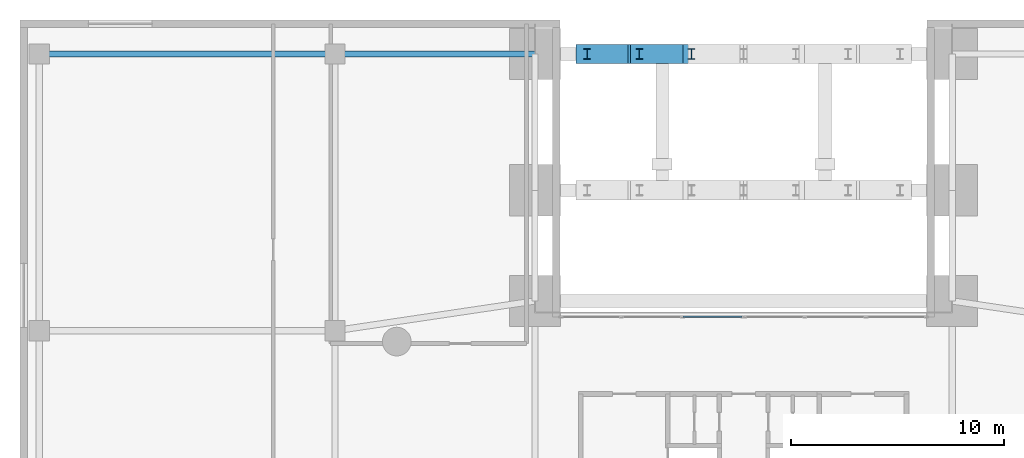
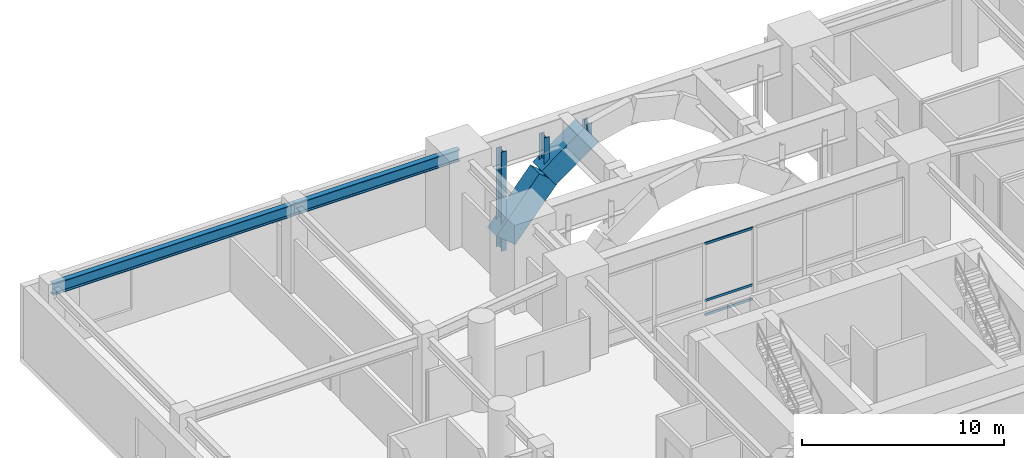
# One storey, part 9 of 18: 6 members, 4 beams, 1 element without a shape of its own.
"""IFC4 building model written with IfcOpenShell, lengths in metres."""

from ifc_helpers import new_model, si_unit, direction, frame, origin, origin_2d, place, context, subcontext, project, spatial, rectangle, hollow_rectangle, i_section, extrude, material, layer, layer_set, material_profile, profile_set, type_object, element, aggregate, save


model = new_model("IFC4")

# Units and contexts
model_context = context("Model", 3, precision=1e-05, world=origin(), true_north=direction((0.0, 1.0)))
body_context = subcontext(model_context, "Body", "Model", "MODEL_VIEW")
ifc_project = project(units=[si_unit("LENGTHUNIT", "METRE"), si_unit("AREAUNIT", "SQUARE_METRE"), si_unit("VOLUMEUNIT", "CUBIC_METRE"), si_unit("PLANEANGLEUNIT", "RADIAN"), si_unit("MASSUNIT", "GRAM", prefix="KILO"), si_unit("THERMODYNAMICTEMPERATUREUNIT", "KELVIN"), si_unit("POWERUNIT", "WATT")], contexts=[model_context])

# Site, building, storey
site_placement = place(None, origin())
site = spatial("IfcSite", under=ifc_project, at=site_placement, CompositionType="ELEMENT")
building_placement = place(site_placement, origin())
building = spatial("IfcBuilding", under=site, at=building_placement, Name="Ocrelia Relay Tower", CompositionType="ELEMENT")
storey_placement = place(building_placement, frame((0.0, 0.0, 10.199951171875)))
storey = spatial("IfcBuildingStorey", under=building, at=storey_placement, Name="L02", CompositionType="ELEMENT", Elevation=10.199951171875)

# Beams
ifc_material_1 = material(Name="Concrete C70/85", Category="concrete")
ifc_material_profile_1 = material_profile(ifc_material_1, rectangle(XDim=0.89990234375, YDim=1.39990234375, at=origin_2d()), Name="RC-BM-900x1400")
ifc_profile_set_1 = profile_set([ifc_material_profile_1], Name="Concrete C70/85")
beam_type_1 = type_object("IfcBeamType", Name="BM-ARCH-RIB", PredefinedType="USERDEFINED", material=ifc_profile_set_1)
beam_1_placement = place(storey_placement, frame((26.64990234375, 50.39990234375, -1.107177734375), z_axis=(0.642360114755, 0.0, 0.766402950785), x_axis=(0.0, 1.0, 0.0)))
element("IfcBeam", 1, at=beam_1_placement, inside=storey, type_object=beam_type_1, Name="Monumental Portal Arch Rib N1 Seg 2", ObjectType="PORTAL ARCH", PredefinedType="USERDEFINED", context=body_context, shape_type="SweptSolid", body=[
    extrude(rectangle(XDim=0.89990234375, YDim=1.39990234375, at=origin_2d()), origin(), (0.0, 0.0, 1.0), 3.814453125),
])
beam_2_placement = place(storey_placement, frame((29.10009765625, 50.39990234375, 1.816162109375), z_axis=(0.813075999957, 0.0, 0.582157554528), x_axis=(0.0, 1.0, 0.0)))
element("IfcBeam", 2, at=beam_2_placement, inside=storey, type_object=beam_type_1, Name="Monumental Portal Arch Rib N1 Seg 3", ObjectType="PORTAL ARCH", PredefinedType="USERDEFINED", context=body_context, shape_type="SweptSolid", body=[
    extrude(rectangle(XDim=0.89990234375, YDim=1.39990234375, at=origin_2d()), origin(), (0.0, 0.0, 1.0), 3.01318359375),
])
ifc_material_2 = material(Name="Steel S355", Category="steel")
ifc_material_profile_2 = material_profile(ifc_material_2, i_section(OverallWidth=0.300048828125, OverallDepth=0.699951171875, WebThickness=0.01708984375, FlangeThickness=0.031982421875, FilletRadius=0.027099609375, at=origin_2d()), Name="HEB 700")
ifc_profile_set_2 = profile_set([ifc_material_profile_2], Name="Steel S355")
beam_type_2 = type_object("IfcBeamType", Name="BM-HEB700", PredefinedType="BEAM", material=ifc_profile_set_2)
beam_3_placement = place(storey_placement, frame((0.89990234375, 50.39990234375, 4.72998046875), z_axis=(1.0, 0.0, 0.0), x_axis=(0.0, 1.0, 0.0)))
element("IfcBeam", 3, at=beam_3_placement, inside=storey, type_object=beam_type_2, Name="L02 West Outer Podium Girder N", PredefinedType="BEAM", context=body_context, shape_type="SweptSolid", body=[
    extrude(i_section(OverallWidth=0.300048828125, OverallDepth=0.699951171875, WebThickness=0.01708984375, FlangeThickness=0.031982421875, FilletRadius=0.027099609375, at=origin_2d()), origin(), (0.0, 0.0, 1.0), 13.900146484375),
])
beam_4_placement = place(storey_placement, frame((14.800048828125, 50.39990234375, 4.72998046875), z_axis=(1.0, 0.0, 0.0), x_axis=(0.0, 1.0, 0.0)))
element("IfcBeam", 4, at=beam_4_placement, inside=storey, type_object=beam_type_2, Name="L02 West Inner Podium Girder N", PredefinedType="BEAM", context=body_context, shape_type="SweptSolid", body=[
    extrude(i_section(OverallWidth=0.300048828125, OverallDepth=0.699951171875, WebThickness=0.01708984375, FlangeThickness=0.031982421875, FilletRadius=0.027099609375, at=origin_2d()), origin(), (0.0, 0.0, 1.0), 9.39990234375),
])

# Curtain wall, members
ifc_material_3 = material(Name="Aluminium and solar-control low-E glass", Category="aluminium")
ifc_layer = layer(ifc_material_3, 0.179931640625, Name="Aluminium and solar-control low-E glass")
ifc_layer_set = layer_set([ifc_layer], Name="Aluminium and solar-control low-E glass")
curtain_wall_type = type_object("IfcCurtainWallType", Name="CW-SYS-POD-ARCH", PredefinedType="NOTDEFINED", material=ifc_layer_set)
curtain_wall_placement = place(storey_placement, origin())
curtain_wall = element("IfcCurtainWall", 5, at=curtain_wall_placement, inside=storey, type_object=curtain_wall_type, Name="L02 North Portal Concourse Glazed Screen West", PredefinedType="NOTDEFINED")
ifc_material_4 = material(Name="Anodised bronze aluminium", Category="aluminium")
ifc_material_profile_3 = material_profile(ifc_material_4, hollow_rectangle(XDim=0.06494140625, YDim=0.139892578125, WallThickness=0.0048828125, at=origin_2d()), Name="CW-TRN-140x65")
ifc_profile_set_3 = profile_set([ifc_material_profile_3], Name="Anodised bronze aluminium")
member_type_1 = type_object("IfcMemberType", Name="CW-SYS-POD-ARCH-TRN", PredefinedType="USERDEFINED", material=ifc_profile_set_3)
member_1_placement = place(storey_placement, frame((31.1640625, 38.050048828125, 0.032470703125), z_axis=(1.0, 0.0, 0.0), x_axis=(0.0, 1.0, 0.0)))
member_1 = element("IfcMember", 6, at=member_1_placement, type_object=member_type_1, Name="CW-PA transom 3.1", ObjectType="TRANSOM", PredefinedType="USERDEFINED", context=body_context, shape_type="SweptSolid", body=[
    extrude(hollow_rectangle(XDim=0.06494140625, YDim=0.139892578125, WallThickness=0.0048828125, at=origin_2d()), origin(), (0.0, 0.0, 1.0), 2.760986328125),
])
member_2_placement = place(storey_placement, frame((31.1640625, 38.050048828125, 0.900146484375), z_axis=(1.0, 0.0, 0.0), x_axis=(0.0, 1.0, 0.0)))
member_2 = element("IfcMember", 7, at=member_2_placement, type_object=member_type_1, Name="CW-PA transom 3.2", ObjectType="TRANSOM", PredefinedType="USERDEFINED", context=body_context, shape_type="SweptSolid", body=[
    extrude(hollow_rectangle(XDim=0.06494140625, YDim=0.139892578125, WallThickness=0.0048828125, at=origin_2d()), origin(), (0.0, 0.0, 1.0), 2.760986328125),
])
member_3_placement = place(storey_placement, frame((31.1640625, 38.050048828125, 4.32763671875), z_axis=(1.0, 0.0, 0.0), x_axis=(0.0, 1.0, 0.0)))
member_3 = element("IfcMember", 8, at=member_3_placement, type_object=member_type_1, Name="CW-PA transom 3.3", ObjectType="TRANSOM", PredefinedType="USERDEFINED", context=body_context, shape_type="SweptSolid", body=[
    extrude(hollow_rectangle(XDim=0.06494140625, YDim=0.139892578125, WallThickness=0.0048828125, at=origin_2d()), origin(), (0.0, 0.0, 1.0), 2.760986328125),
])
aggregate(curtain_wall, [member_1, member_2, member_3])

# Members
ifc_material_profile_4 = material_profile(ifc_material_2, i_section(OverallWidth=0.300048828125, OverallDepth=0.5, WebThickness=0.014404296875, FlangeThickness=0.028076171875, FilletRadius=0.027099609375, at=origin_2d()), Name="HEB 500")
ifc_profile_set_4 = profile_set([ifc_material_profile_4], Name="Steel S355")
member_type_2 = type_object("IfcMemberType", Name="MB-RAKER-STRUT", PredefinedType="STRUT", material=ifc_profile_set_4)
member_4_placement = place(storey_placement, frame((26.64990234375, 50.39990234375, -1.857177734375), z_axis=(0.0, 0.0, 1.0), x_axis=(1.0, 0.0, 0.0)))
element("IfcMember", 9, at=member_4_placement, inside=storey, type_object=member_type_2, Name="Portal Arch Spandrel Hanger N1-1", PredefinedType="STRUT", context=body_context, shape_type="SweptSolid", body=[
    extrude(i_section(OverallWidth=0.300048828125, OverallDepth=0.5, WebThickness=0.014404296875, FlangeThickness=0.028076171875, FilletRadius=0.027099609375, at=origin_2d()), origin(), (0.0, 0.0, 1.0), 6.01220703125),
])
member_5_placement = place(storey_placement, frame((29.10009765625, 50.39990234375, 1.066162109375), z_axis=(0.0, 0.0, 1.0), x_axis=(1.0, 0.0, 0.0)))
element("IfcMember", 10, at=member_5_placement, inside=storey, type_object=member_type_2, Name="Portal Arch Spandrel Hanger N1-2", PredefinedType="STRUT", context=body_context, shape_type="SweptSolid", body=[
    extrude(i_section(OverallWidth=0.300048828125, OverallDepth=0.5, WebThickness=0.014404296875, FlangeThickness=0.028076171875, FilletRadius=0.027099609375, at=origin_2d()), origin(), (0.0, 0.0, 1.0), 3.0888671875),
])
member_6_placement = place(storey_placement, frame((31.550048828125, 50.39990234375, 2.8203125), z_axis=(0.0, 0.0, 1.0), x_axis=(1.0, 0.0, 0.0)))
element("IfcMember", 11, at=member_6_placement, inside=storey, type_object=member_type_2, Name="Portal Arch Spandrel Hanger N1-3", PredefinedType="STRUT", context=body_context, shape_type="SweptSolid", body=[
    extrude(i_section(OverallWidth=0.300048828125, OverallDepth=0.5, WebThickness=0.014404296875, FlangeThickness=0.028076171875, FilletRadius=0.027099609375, at=origin_2d()), origin(), (0.0, 0.0, 1.0), 1.334716796875),
])

save(model, "model.ifc")
